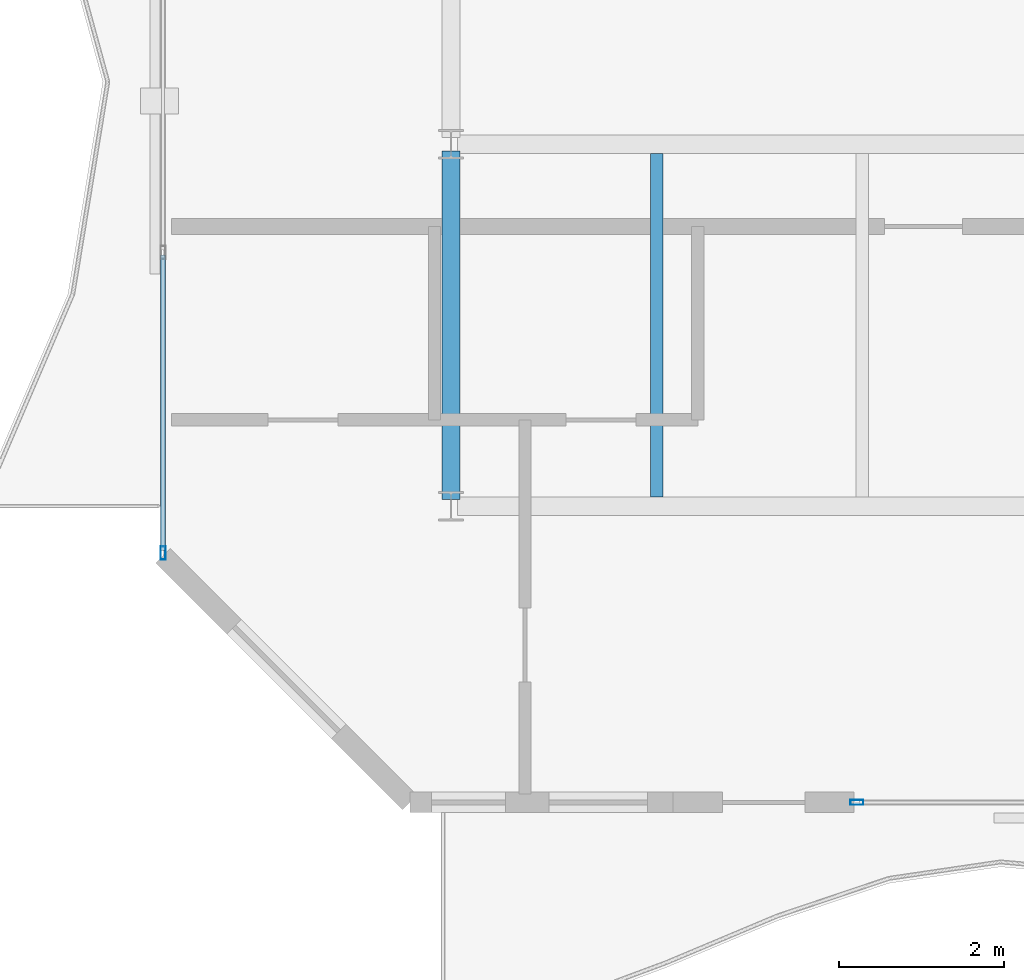
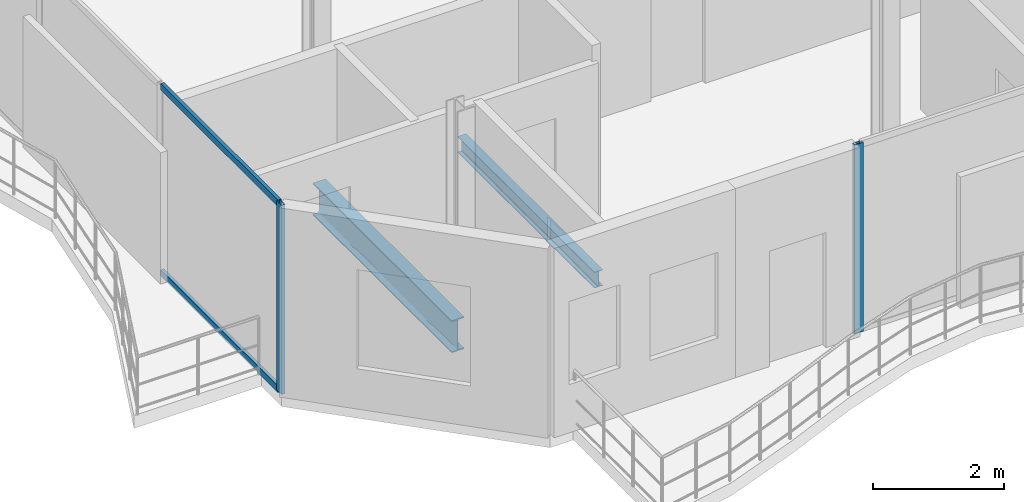
# One storey, part 3 of 24: 4 members, 2 beams, 2 elements without a shape of their own.
"""IFC4 building model written with IfcOpenShell, lengths in metres."""

from ifc_helpers import new_model, si_unit, direction, frame, origin, origin_2d, place, context, subcontext, project, spatial, hollow_rectangle, i_section, extrude, material, layer, layer_set, material_profile, profile_set, type_object, element, aggregate, save


model = new_model("IFC4")

# Units and contexts
model_context = context("Model", 3, precision=1e-05, world=origin(), true_north=direction((0.0, 1.0)))
body_context = subcontext(model_context, "Body", "Model", "MODEL_VIEW")
ifc_project = project(units=[si_unit("LENGTHUNIT", "METRE"), si_unit("AREAUNIT", "SQUARE_METRE"), si_unit("VOLUMEUNIT", "CUBIC_METRE"), si_unit("PLANEANGLEUNIT", "RADIAN"), si_unit("MASSUNIT", "GRAM", prefix="KILO")], contexts=[model_context])

# Site, building, storey
site_placement = place(None, origin())
site = spatial("IfcSite", under=ifc_project, at=site_placement, CompositionType="ELEMENT")
building_placement = place(site_placement, origin())
building = spatial("IfcBuilding", under=site, at=building_placement, Name="Catumbela Crestline Tower", CompositionType="ELEMENT")
storey_placement = place(building_placement, frame((0.0, 0.0, 237.4)))
storey = spatial("IfcBuildingStorey", under=building, at=storey_placement, Name="L61", CompositionType="ELEMENT", Elevation=237.4)

# Beams
ifc_material_1 = material(Name="Structural steel S355J2", Category="steel")
ifc_material_profile_1 = material_profile(ifc_material_1, i_section(OverallWidth=0.22, OverallDepth=0.6, WebThickness=0.012, FlangeThickness=0.019, FilletRadius=0.024, at=origin_2d()), Name="IPE 600")
ifc_profile_set_1 = profile_set([ifc_material_profile_1], Name="Structural steel S355J2")
beam_type_1 = type_object("IfcBeamType", Name="BG-IPE600", PredefinedType="BEAM", material=ifc_profile_set_1)
beam_1_placement = place(storey_placement, frame((8.5, 13.68, -0.56), z_axis=(0.0, 1.0, 0.0), x_axis=(-1.0, 0.0, 0.0)))
element("IfcBeam", 1, at=beam_1_placement, inside=storey, type_object=beam_type_1, Name="L61 Beam BM-L61-WNS31", PredefinedType="BEAM", context=body_context, shape_type="SweptSolid", body=[
    extrude(i_section(OverallWidth=0.22, OverallDepth=0.6, WebThickness=0.012, FlangeThickness=0.019, FilletRadius=0.024, at=origin_2d()), origin(), (0.0, 0.0, 1.0), 4.24),
])
ifc_material_profile_2 = material_profile(ifc_material_1, i_section(OverallWidth=0.15, OverallDepth=0.3, WebThickness=0.0071, FlangeThickness=0.0107, FilletRadius=0.015, at=origin_2d()), Name="IPE 300")
ifc_profile_set_2 = profile_set([ifc_material_profile_2], Name="Structural steel S355J2")
beam_type_2 = type_object("IfcBeamType", Name="BJ-IPE300", PredefinedType="JOIST", material=ifc_profile_set_2)
beam_2_placement = place(storey_placement, frame((11.0, 13.71, -0.41), z_axis=(0.0, 1.0, 0.0), x_axis=(-1.0, 0.0, 0.0)))
element("IfcBeam", 2, at=beam_2_placement, inside=storey, type_object=beam_type_2, Name="L61 Joist JS-L61-WG36", PredefinedType="JOIST", context=body_context, shape_type="SweptSolid", body=[
    extrude(i_section(OverallWidth=0.15, OverallDepth=0.3, WebThickness=0.0071, FlangeThickness=0.0107, FilletRadius=0.015, at=origin_2d()), origin(), (0.0, 0.0, 1.0), 4.18),
])

# Curtain wall, member
ifc_material_2 = material(Name="Aluminium alloy AW-6060-T66", Category="aluminium")
ifc_layer = layer(ifc_material_2, 0.18, Name="Aluminium alloy AW-6060-T66")
ifc_layer_set = layer_set([ifc_layer], Name="Aluminium alloy AW-6060-T66")
curtain_wall_type = type_object("IfcCurtainWallType", Name="CWU-Z4", PredefinedType="USERDEFINED", material=ifc_layer_set)
curtain_wall_1_placement = place(storey_placement, origin())
curtain_wall_1 = element("IfcCurtainWall", 3, at=curtain_wall_1_placement, inside=storey, type_object=curtain_wall_type, Name="L61 Unitised Curtain Wall CW-L61-E0S2", ObjectType="UNITISED", PredefinedType="USERDEFINED")
ifc_material_profile_3 = material_profile(ifc_material_2, hollow_rectangle(XDim=0.06, YDim=0.16, WallThickness=0.004, at=origin_2d()), Name="ALU 160x60x4")
ifc_profile_set_3 = profile_set([ifc_material_profile_3], Name="Aluminium alloy AW-6060-T66")
member_type_1 = type_object("IfcMemberType", Name="MUL-160X60", PredefinedType="MULLION", material=ifc_profile_set_3)
member_1_placement = place(storey_placement, frame((13.4325, 10.0, 0.0), z_axis=(0.0, 0.0, 1.0), x_axis=(0.0, 1.0, 0.0)))
member_1 = element("IfcMember", 4, at=member_1_placement, type_object=member_type_1, Name="CWU-Z4 mullion 1", PredefinedType="MULLION", context=body_context, shape_type="SweptSolid", body=[
    extrude(hollow_rectangle(XDim=0.06, YDim=0.16, WallThickness=0.004, at=origin_2d()), origin(), (0.0, 0.0, 1.0), 3.53),
])
aggregate(curtain_wall_1, [member_1])

# Curtain wall, members
curtain_wall_2_placement = place(storey_placement, origin())
curtain_wall_2 = element("IfcCurtainWall", 5, at=curtain_wall_2_placement, inside=storey, type_object=curtain_wall_type, Name="L61 Unitised Curtain Wall CW-L61-E9S2", ObjectType="UNITISED", PredefinedType="USERDEFINED")
member_2_placement = place(storey_placement, frame((5.0, 13.0325, 0.0), z_axis=(0.0, 0.0, 1.0), x_axis=(1.0, 0.0, 0.0)))
member_2 = element("IfcMember", 6, at=member_2_placement, type_object=member_type_1, Name="CWU-Z4 mullion 7", PredefinedType="MULLION", context=body_context, shape_type="SweptSolid", body=[
    extrude(hollow_rectangle(XDim=0.06, YDim=0.16, WallThickness=0.004, at=origin_2d()), origin(), (0.0, 0.0, 1.0), 3.53),
])
ifc_material_profile_4 = material_profile(ifc_material_2, hollow_rectangle(XDim=0.06, YDim=0.12, WallThickness=0.0035, at=origin_2d()), Name="ALU 120x60x3.5")
ifc_profile_set_4 = profile_set([ifc_material_profile_4], Name="Aluminium alloy AW-6060-T66")
member_type_2 = type_object("IfcMemberType", Name="TRN-120X60", PredefinedType="USERDEFINED", material=ifc_profile_set_4)
member_3_placement = place(storey_placement, frame((5.0, 16.6508, 0.03), z_axis=(0.0, -1.0, 0.0), x_axis=(1.0, 0.0, 0.0)))
member_3 = element("IfcMember", 7, at=member_3_placement, type_object=member_type_2, Name="CWU-Z4 transom 6.1", ObjectType="TRANSOM", PredefinedType="USERDEFINED", context=body_context, shape_type="SweptSolid", body=[
    extrude(hollow_rectangle(XDim=0.06, YDim=0.12, WallThickness=0.0035, at=origin_2d()), origin(), (0.0, 0.0, 1.0), 3.5858),
])
member_4_placement = place(storey_placement, frame((5.0, 16.6508, 3.5), z_axis=(0.0, -1.0, 0.0), x_axis=(1.0, 0.0, 0.0)))
member_4 = element("IfcMember", 8, at=member_4_placement, type_object=member_type_2, Name="CWU-Z4 transom 6.2", ObjectType="TRANSOM", PredefinedType="USERDEFINED", context=body_context, shape_type="SweptSolid", body=[
    extrude(hollow_rectangle(XDim=0.06, YDim=0.12, WallThickness=0.0035, at=origin_2d()), origin(), (0.0, 0.0, 1.0), 3.5858),
])
aggregate(curtain_wall_2, [member_2, member_3, member_4])

save(model, "model.ifc")
